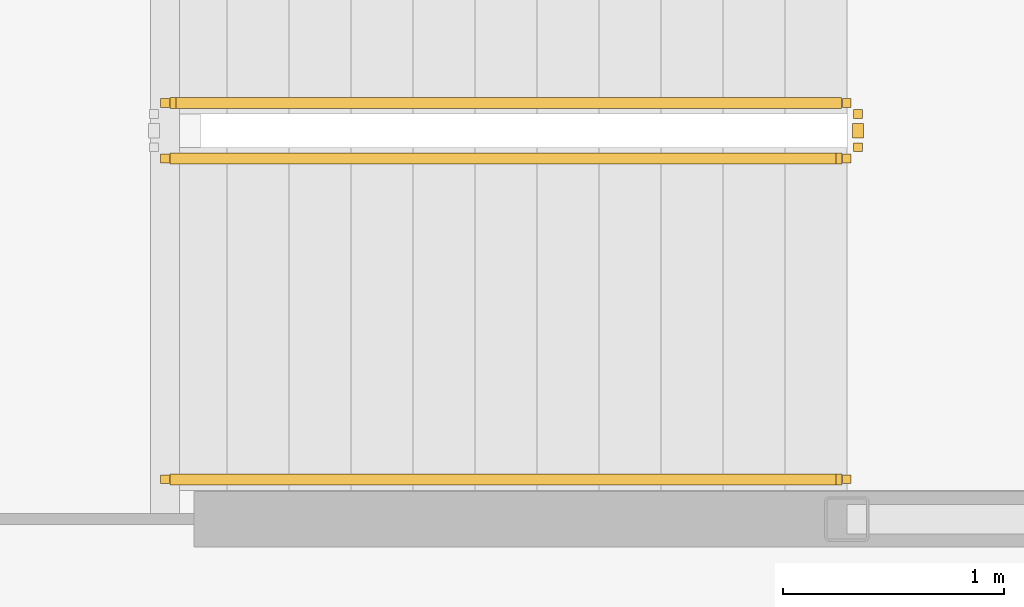
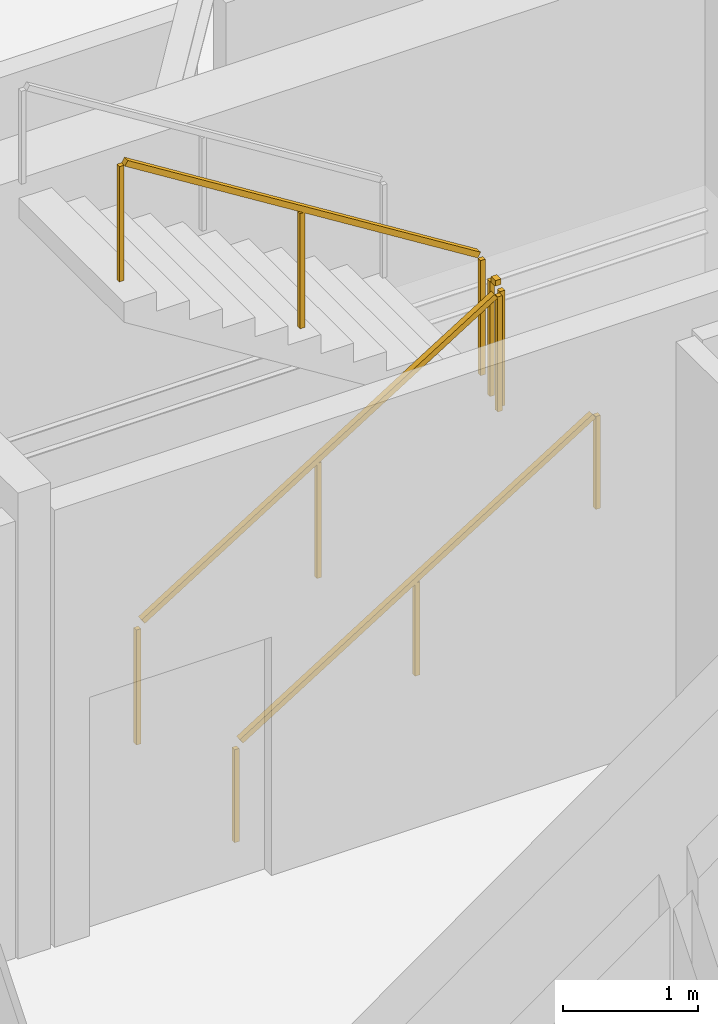
# One storey, part 21 of 22: 4 railings.
"""IFC4 building model written with IfcOpenShell, lengths in metres."""

from ifc_helpers import new_model, si_unit, direction, frame, origin, origin_2d, place, context, subcontext, project, spatial, rectangle, extrude, material, type_object, element, save


model = new_model("IFC4")

# Units and contexts
model_context = context("Model", 3, precision=1e-05, world=origin(), true_north=direction((0.0, 1.0)))
body_context = subcontext(model_context, "Body", "Model", "MODEL_VIEW")
ifc_project = project(units=[si_unit("LENGTHUNIT", "METRE"), si_unit("AREAUNIT", "SQUARE_METRE"), si_unit("VOLUMEUNIT", "CUBIC_METRE"), si_unit("PLANEANGLEUNIT", "RADIAN"), si_unit("MASSUNIT", "GRAM", prefix="KILO")], contexts=[model_context])

# Site, building, storey
site_placement = place(None, origin())
site = spatial("IfcSite", under=ifc_project, at=site_placement, CompositionType="ELEMENT")
building_placement = place(site_placement, origin())
building = spatial("IfcBuilding", under=site, at=building_placement, Name="Kazma Halo Residences", CompositionType="ELEMENT")
storey_placement = place(building_placement, frame((0.0, 0.0, 334.699951171875)))
storey = spatial("IfcBuildingStorey", under=building, at=storey_placement, Name="L84", CompositionType="ELEMENT", Elevation=334.699951171875)

# Railings
ifc_material_1 = material(Name="Painted Steel S355", Category="steel")
railing_type_1 = type_object("IfcRailingType", Name="RLG-STAIR-GRD-1100", PredefinedType="GUARDRAIL", material=ifc_material_1)
railing_1_placement = place(storey_placement, frame((53.199951171875, 48.25, 0.175048828125)))
element("IfcRailing", 1, at=railing_1_placement, inside=storey, type_object=railing_type_1, Name="L84 ST-02 stair guard 1", PredefinedType="GUARDRAIL", context=body_context, shape_type="SweptSolid", body=[
    extrude(rectangle(XDim=0.050048828125, YDim=0.050048828125, at=origin_2d()), frame((0.0361328125, 0.0, 1.09765625), z_axis=(0.847998304005, 0.0, 0.529998940003), x_axis=(0.0, 1.0, 0.0)), (0.0, 0.0, 1.0), 3.547119140625),
    extrude(rectangle(XDim=0.0400390625, YDim=0.0400390625, at=origin_2d()), origin(), (0.0, 0.0, 1.0), 1.0380859375),
    extrude(rectangle(XDim=0.0400390625, YDim=0.0400390625, at=origin_2d()), frame((1.5400390625, 0.0, 0.96240234375)), (0.0, 0.0, 1.0), 1.0380859375),
    extrude(rectangle(XDim=0.0400390625, YDim=0.0400390625, at=origin_2d()), frame((3.080078125, 0.0, 1.925048828125)), (0.0, 0.0, 1.0), 1.0380859375),
])
railing_2_placement = place(storey_placement, frame((56.330078125, 48.300048828125, 2.10009765625)))
element("IfcRailing", 2, at=railing_2_placement, inside=storey, type_object=railing_type_1, Name="L84 ST-02 stair guard 2", PredefinedType="GUARDRAIL", context=body_context, shape_type="SweptSolid", body=[
    extrude(rectangle(XDim=0.050048828125, YDim=0.050048828125, at=origin_2d()), frame((0.0, 0.04248046875, 1.0751953125), z_axis=(0.0, 1.0, 0.0), x_axis=(-1.0, 0.0, 0.0)), (0.0, 0.0, 1.0), 0.06494140625),
    extrude(rectangle(XDim=0.0400390625, YDim=0.0400390625, at=origin_2d()), origin(), (0.0, 0.0, 1.0), 1.0380859375),
    extrude(rectangle(XDim=0.0400390625, YDim=0.0400390625, at=origin_2d()), frame((0.0, 0.14990234375, 0.0)), (0.0, 0.0, 1.0), 1.0380859375),
])
railing_3_placement = place(storey_placement, frame((56.280029296875, 48.5, 2.275146484375)))
element("IfcRailing", 3, at=railing_3_placement, inside=storey, type_object=railing_type_1, Name="L84 ST-02 stair guard 3", PredefinedType="GUARDRAIL", context=body_context, shape_type="SweptSolid", body=[
    extrude(rectangle(XDim=0.050048828125, YDim=0.050048828125, at=origin_2d()), frame((-0.0361328125, 0.0, 1.09765625), z_axis=(-0.848028513186, 0.0, 0.529950602248), x_axis=(0.0, -1.0, 0.0)), (0.0, 0.0, 1.0), 3.546875),
    extrude(rectangle(XDim=0.0400390625, YDim=0.0400390625, at=origin_2d()), origin(), (0.0, 0.0, 1.0), 1.0380859375),
    extrude(rectangle(XDim=0.0400390625, YDim=0.0400390625, at=origin_2d()), frame((-1.5400390625, 0.0, 0.96240234375)), (0.0, 0.0, 1.0), 1.0380859375),
    extrude(rectangle(XDim=0.0400390625, YDim=0.0400390625, at=origin_2d()), frame((-3.080078125, 0.0, 1.9248046875)), (0.0, 0.0, 1.0), 1.0380859375),
])
ifc_material_2 = material(Name="Brushed Stainless Steel", Category="steel")
railing_type_2 = type_object("IfcRailingType", Name="RLG-STAIR-HND-900", PredefinedType="HANDRAIL", material=ifc_material_2)
railing_4_placement = place(storey_placement, frame((53.199951171875, 46.800048828125, 0.175048828125)))
element("IfcRailing", 4, at=railing_4_placement, inside=storey, type_object=railing_type_2, Name="L84 ST-02 stair handrail 1", PredefinedType="HANDRAIL", context=body_context, shape_type="SweptSolid", body=[
    extrude(rectangle(XDim=0.050048828125, YDim=0.050048828125, at=origin_2d()), frame((0.0361328125, 0.0, 0.8974609375), z_axis=(0.847998304005, 0.0, 0.529998940003), x_axis=(0.0, 1.0, 0.0)), (0.0, 0.0, 1.0), 3.547119140625),
    extrude(rectangle(XDim=0.0400390625, YDim=0.0400390625, at=origin_2d()), origin(), (0.0, 0.0, 1.0), 0.837890625),
    extrude(rectangle(XDim=0.0400390625, YDim=0.0400390625, at=origin_2d()), frame((1.5400390625, 0.0, 0.96240234375)), (0.0, 0.0, 1.0), 0.837890625),
    extrude(rectangle(XDim=0.0400390625, YDim=0.0400390625, at=origin_2d()), frame((3.080078125, 0.0, 1.925048828125)), (0.0, 0.0, 1.0), 0.837890625),
])

save(model, "model.ifc")
